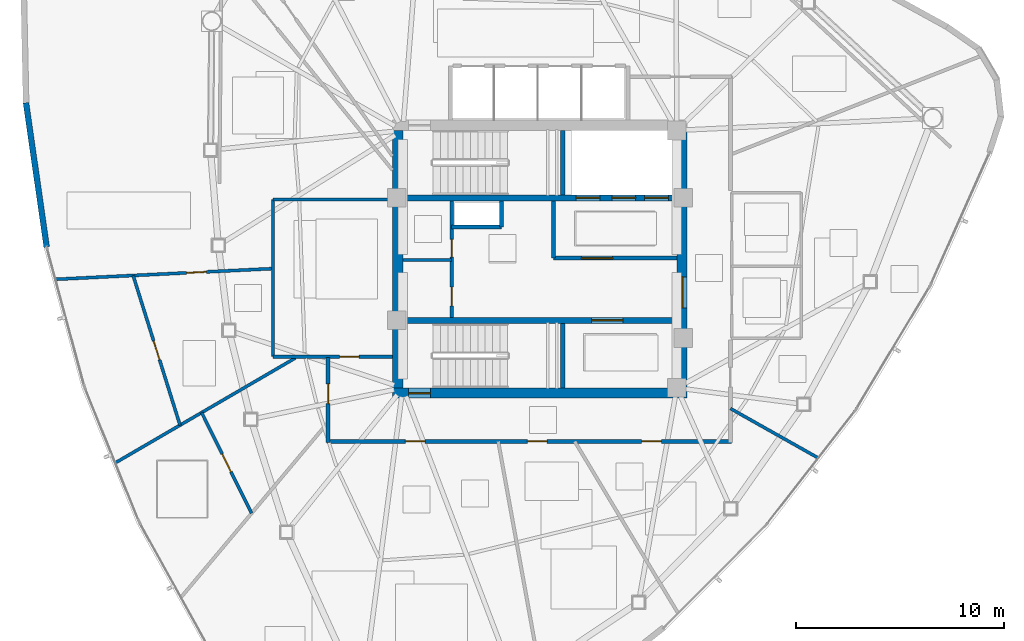
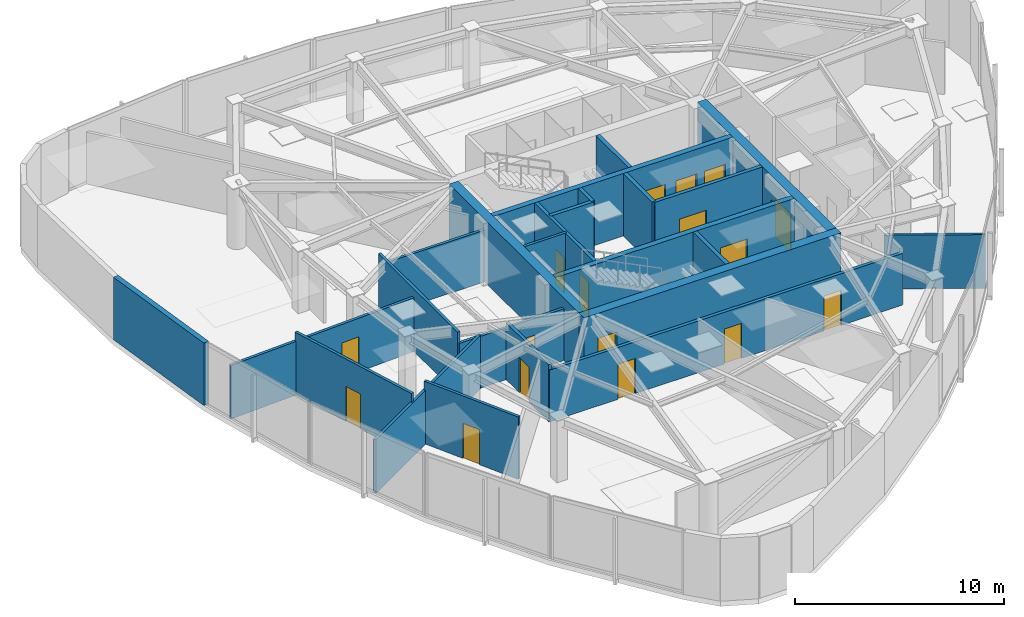
# One storey, part 8 of 13: 24 walls, 17 doors, 17 openings.
"""IFC4 building model written with IfcOpenShell, lengths in metres."""

from ifc_helpers import new_model, si_unit, direction, frame, frame_2d, origin, place, context, subcontext, project, spatial, rectangle, extrude, material, layer, layer_set, type_object, element, fill, save


model = new_model("IFC4")

# Units and contexts
model_context = context("Model", 3, precision=1e-05, world=origin(), true_north=direction((0.0, 1.0)))
body_context = subcontext(model_context, "Body", "Model", "MODEL_VIEW")
ifc_project = project(units=[si_unit("LENGTHUNIT", "METRE"), si_unit("AREAUNIT", "SQUARE_METRE"), si_unit("VOLUMEUNIT", "CUBIC_METRE"), si_unit("PLANEANGLEUNIT", "RADIAN"), si_unit("MASSUNIT", "GRAM", prefix="KILO")], contexts=[model_context])

# Site, building, storey
site_placement = place(None, origin())
site = spatial("IfcSite", under=ifc_project, at=site_placement, CompositionType="ELEMENT")
building_placement = place(site_placement, origin())
building = spatial("IfcBuilding", under=site, at=building_placement, Name="Tavelor Broadcast Tower", CompositionType="ELEMENT")
storey_placement = place(building_placement, frame((0.0, 0.0, 245.85009765625)))
storey = spatial("IfcBuildingStorey", under=building, at=storey_placement, Name="L58", CompositionType="ELEMENT", Elevation=245.85009765625)

# Wall, opening, door
ifc_material_1 = material(Name="Concrete C50/60", Category="concrete")
ifc_layer_1 = layer(ifc_material_1, 0.5)
ifc_layer_set_1 = layer_set([ifc_layer_1], Name="Concrete C50/60")
wall_type_1 = type_object("IfcWallType", Name="Core Shear Wall 500 mm", PredefinedType="SHEAR", material=ifc_layer_set_1)
wall_1_placement = place(storey_placement, frame((42.89990234375, 38.550048828125, 0.0), z_axis=(0.0, 0.0, 1.0), x_axis=(1.0, 0.0, 0.0)))
wall_1 = element("IfcWall", 1, at=wall_1_placement, inside=storey, type_object=wall_type_1, Name="L58 Central Core Shear Wall S", PredefinedType="SHEAR", context=body_context, shape_type="SweptSolid", body=[
    extrude(rectangle(XDim=14.2001953125, YDim=0.5, at=frame_2d((7.10009765625, 0.0))), origin(), (0.0, 0.0, 1.0), 3.64990234375),
])
opening_1_placement = place(wall_1_placement, frame((0.780029296875, 0.0, 0.0)))
opening_1 = element("IfcOpeningElement", 2, at=opening_1_placement, cuts=wall_1, Name="Opening DR11", PredefinedType="OPENING", context=body_context, shape_type="SweptSolid", body=[
    extrude(rectangle(XDim=1.050048828125, YDim=2.199951171875, at=frame_2d((0.52490234375, 1.10009765625))), frame((0.0, 0.260009765625, 0.0), z_axis=(0.0, -1.0, 0.0), x_axis=(1.0, 0.0, 0.0)), (0.0, 0.0, 1.0), 0.52001953125),
])
ifc_material_2 = material(Name="Steel S355", Category="steel")
door_type_1 = type_object("IfcDoorType", Name="Stair Core Fire Escape Door 1050x2200", OperationType="NOTDEFINED", PredefinedType="DOOR", material=ifc_material_2)
door_1_placement = place(opening_1_placement, origin())
door_1 = element("IfcDoor", 3, at=door_1_placement, inside=storey, type_object=door_type_1, Name="L58 Stair ST2 Protected Exit Door", OperationType="SINGLE_SWING_RIGHT", OverallHeight=2.199951171875, OverallWidth=1.050048828125, PredefinedType="DOOR", context=body_context, shape_type="SweptSolid", body=[
    extrude(rectangle(XDim=1.050048828125, YDim=2.199951171875, at=frame_2d((0.52490234375, 1.10009765625))), frame((0.0, 0.02490234375, 0.0), z_axis=(0.0, -1.0, 0.0), x_axis=(1.0, 0.0, 0.0)), (0.0, 0.0, 1.0), 0.050048828125),
])
fill(opening_1, door_1)

# Wall
wall_2_placement = place(storey_placement, frame((43.14990234375, 38.800048828125, 0.0), z_axis=(0.0, 0.0, 1.0), x_axis=(0.0, 1.0, 0.0)))
element("IfcWall", 4, at=wall_2_placement, inside=storey, type_object=wall_type_1, Name="L58 Central Core Shear Wall W", PredefinedType="SHEAR", context=body_context, shape_type="SweptSolid", body=[
    extrude(rectangle(XDim=12.39990234375, YDim=0.5, at=frame_2d((6.199951171875, 0.0))), origin(), (0.0, 0.0, 1.0), 3.64990234375),
])

# Wall, opening, door
wall_3_placement = place(storey_placement, frame((56.85009765625, 38.800048828125, 0.0), z_axis=(0.0, 0.0, 1.0), x_axis=(0.0, 1.0, 0.0)))
wall_3 = element("IfcWall", 5, at=wall_3_placement, inside=storey, type_object=wall_type_1, Name="L58 Central Core Shear Wall E", PredefinedType="SHEAR", context=body_context, shape_type="SweptSolid", body=[
    extrude(rectangle(XDim=12.39990234375, YDim=0.5, at=frame_2d((6.199951171875, 0.0))), origin(), (0.0, 0.0, 1.0), 3.64990234375),
])
opening_2_placement = place(wall_3_placement, frame((3.85009765625, 0.0, 0.0)))
opening_2 = element("IfcOpeningElement", 6, at=opening_2_placement, cuts=wall_3, Name="Opening DR14", PredefinedType="OPENING", context=body_context, shape_type="SweptSolid", body=[
    extrude(rectangle(XDim=1.5, YDim=2.199951171875, at=frame_2d((0.75, 1.10009765625))), frame((0.0, 0.260009765625, 0.0), z_axis=(0.0, -1.0, 0.0), x_axis=(1.0, 0.0, 0.0)), (0.0, 0.0, 1.0), 0.52001953125),
])
door_type_2 = type_object("IfcDoorType", Name="Firefighting Lobby Double Fire Door 1500x2200", OperationType="NOTDEFINED", PredefinedType="DOOR", material=ifc_material_2)
door_2_placement = place(opening_2_placement, origin())
door_2 = element("IfcDoor", 7, at=door_2_placement, inside=storey, type_object=door_type_2, Name="L58 Central Core Lobby Fire Door", OperationType="SINGLE_SWING_LEFT", OverallHeight=2.199951171875, OverallWidth=1.5, PredefinedType="DOOR", context=body_context, shape_type="SweptSolid", body=[
    extrude(rectangle(XDim=1.5, YDim=2.199951171875, at=frame_2d((0.75, 1.10009765625))), frame((0.0, 0.02490234375, 0.0), z_axis=(0.0, -1.0, 0.0), x_axis=(1.0, 0.0, 0.0)), (0.0, 0.0, 1.0), 0.050048828125),
])
fill(opening_2, door_2)

# Wall, openings, doors
ifc_layer_2 = layer(ifc_material_1, 0.300048828125)
ifc_layer_set_2 = layer_set([ifc_layer_2], Name="Concrete C50/60")
wall_type_2 = type_object("IfcWallType", Name="Core Spine Shear Wall 300 mm C50", PredefinedType="SHEAR", material=ifc_layer_set_2)
wall_4_placement = place(storey_placement, frame((43.39990234375, 47.949951171875, 0.0), z_axis=(0.0, 0.0, 1.0), x_axis=(1.0, 0.0, 0.0)))
wall_4 = element("IfcWall", 8, at=wall_4_placement, inside=storey, type_object=wall_type_2, Name="L58 Central Core Shear Wall SP1", PredefinedType="SHEAR", context=body_context, shape_type="SweptSolid", body=[
    extrude(rectangle(XDim=13.2001953125, YDim=0.300048828125, at=frame_2d((6.60009765625, 0.0))), origin(), (0.0, 0.0, 1.0), 3.64990234375),
])
opening_3_placement = place(wall_4_placement, frame((8.344970703125, 0.0, 0.0)))
opening_3 = element("IfcOpeningElement", 9, at=opening_3_placement, cuts=wall_4, Name="Opening LD02", PredefinedType="OPENING", context=body_context, shape_type="SweptSolid", body=[
    extrude(rectangle(XDim=1.14990234375, YDim=2.199951171875, at=frame_2d((0.574951171875, 1.10009765625))), frame((0.0, 0.16015625, 0.0), z_axis=(0.0, -1.0, 0.0), x_axis=(1.0, 0.0, 0.0)), (0.0, 0.0, 1.0), 0.320068359375),
])
opening_4_placement = place(wall_4_placement, frame((10.06494140625, 0.0, 0.0)))
opening_4 = element("IfcOpeningElement", 10, at=opening_4_placement, cuts=wall_4, Name="Opening LD02", PredefinedType="OPENING", context=body_context, shape_type="SweptSolid", body=[
    extrude(rectangle(XDim=1.14990234375, YDim=2.199951171875, at=frame_2d((0.574951171875, 1.10009765625))), frame((0.0, 0.16015625, 0.0), z_axis=(0.0, -1.0, 0.0), x_axis=(1.0, 0.0, 0.0)), (0.0, 0.0, 1.0), 0.320068359375),
])
opening_5_placement = place(wall_4_placement, frame((11.64501953125, 0.0, 0.0)))
opening_5 = element("IfcOpeningElement", 11, at=opening_5_placement, cuts=wall_4, Name="Opening LD03", PredefinedType="OPENING", context=body_context, shape_type="SweptSolid", body=[
    extrude(rectangle(XDim=1.14990234375, YDim=2.199951171875, at=frame_2d((0.574951171875, 1.10009765625))), frame((0.0, 0.16015625, 0.0), z_axis=(0.0, -1.0, 0.0), x_axis=(1.0, 0.0, 0.0)), (0.0, 0.0, 1.0), 0.320068359375),
])
ifc_material_3 = material(Name="Reinforced Brushed Stainless Steel", Category="concrete")
door_type_3 = type_object("IfcDoorType", Name="Broadcast Goods Lift Sliding Landing Door 1250x2200", OperationType="NOTDEFINED", PredefinedType="DOOR", material=ifc_material_3)
door_3_placement = place(opening_5_placement, origin())
door_3 = element("IfcDoor", 12, at=door_3_placement, inside=storey, type_object=door_type_3, Name="L58 Lift SVL1 Sliding Landing Door", OperationType="SLIDING_TO_LEFT", OverallHeight=2.199951171875, OverallWidth=1.14990234375, PredefinedType="DOOR", context=body_context, shape_type="SweptSolid", body=[
    extrude(rectangle(XDim=1.14990234375, YDim=2.199951171875, at=frame_2d((0.574951171875, 1.10009765625))), frame((0.0, 0.02490234375, 0.0), z_axis=(0.0, -1.0, 0.0), x_axis=(1.0, 0.0, 0.0)), (0.0, 0.0, 1.0), 0.050048828125),
])
fill(opening_5, door_3)
ifc_material_4 = material(Name="Fire-Rated Stainless Steel", Category="steel")
door_type_4 = type_object("IfcDoorType", Name="Firefighting Lift Sliding Landing Door 1200x2200", OperationType="NOTDEFINED", PredefinedType="DOOR", material=ifc_material_4)
door_4_placement = place(opening_3_placement, origin())
door_4 = element("IfcDoor", 13, at=door_4_placement, inside=storey, type_object=door_type_4, Name="L58 Lift FFL1 Sliding Landing Door", OperationType="SLIDING_TO_LEFT", OverallHeight=2.199951171875, OverallWidth=1.14990234375, PredefinedType="DOOR", context=body_context, shape_type="SweptSolid", body=[
    extrude(rectangle(XDim=1.14990234375, YDim=2.199951171875, at=frame_2d((0.574951171875, 1.10009765625))), frame((0.0, 0.02490234375, 0.0), z_axis=(0.0, -1.0, 0.0), x_axis=(1.0, 0.0, 0.0)), (0.0, 0.0, 1.0), 0.050048828125),
])
fill(opening_3, door_4)
door_5_placement = place(opening_4_placement, origin())
door_5 = element("IfcDoor", 14, at=door_5_placement, inside=storey, type_object=door_type_4, Name="L58 Lift FFL2 Sliding Landing Door", OperationType="SLIDING_TO_LEFT", OverallHeight=2.199951171875, OverallWidth=1.14990234375, PredefinedType="DOOR", context=body_context, shape_type="SweptSolid", body=[
    extrude(rectangle(XDim=1.14990234375, YDim=2.199951171875, at=frame_2d((0.574951171875, 1.10009765625))), frame((0.0, 0.02490234375, 0.0), z_axis=(0.0, -1.0, 0.0), x_axis=(1.0, 0.0, 0.0)), (0.0, 0.0, 1.0), 0.050048828125),
])
fill(opening_4, door_5)

# Wall, opening, door
wall_5_placement = place(storey_placement, frame((43.39990234375, 42.050048828125, 0.0), z_axis=(0.0, 0.0, 1.0), x_axis=(1.0, 0.0, 0.0)))
wall_5 = element("IfcWall", 15, at=wall_5_placement, inside=storey, type_object=wall_type_2, Name="L58 Central Core Shear Wall SP2", PredefinedType="SHEAR", context=body_context, shape_type="SweptSolid", body=[
    extrude(rectangle(XDim=13.2001953125, YDim=0.300048828125, at=frame_2d((6.60009765625, 0.0))), origin(), (0.0, 0.0, 1.0), 3.64990234375),
])
opening_6_placement = place(wall_5_placement, frame((9.10009765625, 0.0, 0.0)))
opening_6 = element("IfcOpeningElement", 16, at=opening_6_placement, cuts=wall_5, Name="Opening DR14", PredefinedType="OPENING", context=body_context, shape_type="SweptSolid", body=[
    extrude(rectangle(XDim=1.5, YDim=2.199951171875, at=frame_2d((0.75, 1.10009765625))), frame((0.0, 0.16015625, 0.0), z_axis=(0.0, -1.0, 0.0), x_axis=(1.0, 0.0, 0.0)), (0.0, 0.0, 1.0), 0.320068359375),
])
door_6_placement = place(opening_6_placement, origin())
door_6 = element("IfcDoor", 17, at=door_6_placement, inside=storey, type_object=door_type_2, Name="L58 Reclaimed South Core Vestibule Door", OperationType="SINGLE_SWING_LEFT", OverallHeight=2.199951171875, OverallWidth=1.5, PredefinedType="DOOR", context=body_context, shape_type="SweptSolid", body=[
    extrude(rectangle(XDim=1.5, YDim=2.199951171875, at=frame_2d((0.75, 1.10009765625))), frame((0.0, 0.02490234375, 0.0), z_axis=(0.0, -1.0, 0.0), x_axis=(1.0, 0.0, 0.0)), (0.0, 0.0, 1.0), 0.050048828125),
])
fill(opening_6, door_6)

# Wall, openings, doors
ifc_material_5 = material(Name="Calcium Silicate Fire Board 180 mm", Category="gypsum")
ifc_layer_3 = layer(ifc_material_5, 0.179931640625)
ifc_layer_set_3 = layer_set([ifc_layer_3], Name="Calcium Silicate Fire Board 180 mm")
wall_type_3 = type_object("IfcWallType", Name="Fire-Rated Corridor Partition Wall 180 mm", PredefinedType="PARTITIONING", material=ifc_layer_set_3)
wall_6_placement = place(storey_placement, frame((45.75, 42.199951171875, 0.0), z_axis=(0.0, 0.0, 1.0), x_axis=(0.0, 1.0, 0.0)))
wall_6 = element("IfcWall", 18, at=wall_6_placement, inside=storey, type_object=wall_type_3, Name="L58 Core West Service East Wall", PredefinedType="PARTITIONING", context=body_context, shape_type="SweptSolid", body=[
    extrude(rectangle(XDim=5.60009765625, YDim=0.179931640625, at=frame_2d((2.800048828125, 0.0))), origin(), (0.0, 0.0, 1.0), 3.64990234375),
])
opening_7_placement = place(wall_6_placement, frame((0.550048828125, 0.0, 0.0)))
opening_7 = element("IfcOpeningElement", 19, at=opening_7_placement, cuts=wall_6, Name="Opening DR32", PredefinedType="OPENING", context=body_context, shape_type="SweptSolid", body=[
    extrude(rectangle(XDim=0.89990234375, YDim=2.050048828125, at=frame_2d((0.449951171875, 1.02490234375))), frame((0.0, 0.10009765625, 0.0), z_axis=(0.0, -1.0, 0.0), x_axis=(1.0, 0.0, 0.0)), (0.0, 0.0, 1.0), 0.199951171875),
])
opening_8_placement = place(wall_6_placement, frame((2.89990234375, 0.0, 0.0)))
opening_8 = element("IfcOpeningElement", 20, at=opening_8_placement, cuts=wall_6, Name="Opening DR36", PredefinedType="OPENING", context=body_context, shape_type="SweptSolid", body=[
    extrude(rectangle(XDim=0.85009765625, YDim=2.050048828125, at=frame_2d((0.425048828125, 1.02490234375))), frame((0.0, 0.10009765625, 0.0), z_axis=(0.0, -1.0, 0.0), x_axis=(1.0, 0.0, 0.0)), (0.0, 0.0, 1.0), 0.199951171875),
])
ifc_material_6 = material(Name="Timber Solid Core Hardwood", Category="wood")
door_type_5 = type_object("IfcDoorType", Name="Accessible Washroom Door 900x2050", OperationType="NOTDEFINED", PredefinedType="DOOR", material=ifc_material_6)
door_7_placement = place(opening_7_placement, origin())
door_7 = element("IfcDoor", 21, at=door_7_placement, inside=storey, type_object=door_type_5, Name="L58 Core Accessible WC Door", OperationType="SINGLE_SWING_LEFT", OverallHeight=2.050048828125, OverallWidth=0.89990234375, PredefinedType="DOOR", context=body_context, shape_type="SweptSolid", body=[
    extrude(rectangle(XDim=0.89990234375, YDim=2.050048828125, at=frame_2d((0.449951171875, 1.02490234375))), frame((0.0, 0.02490234375, 0.0), z_axis=(0.0, -1.0, 0.0), x_axis=(1.0, 0.0, 0.0)), (0.0, 0.0, 1.0), 0.050048828125),
])
fill(opening_7, door_7)
door_type_6 = type_object("IfcDoorType", Name="Service Room Fire Door 850x2050", OperationType="NOTDEFINED", PredefinedType="DOOR", material=ifc_material_2)
door_8_placement = place(opening_8_placement, origin())
door_8 = element("IfcDoor", 22, at=door_8_placement, inside=storey, type_object=door_type_6, Name="L58 Core Cleaner Store Door", OperationType="SINGLE_SWING_RIGHT", OverallHeight=2.050048828125, OverallWidth=0.85009765625, PredefinedType="DOOR", context=body_context, shape_type="SweptSolid", body=[
    extrude(rectangle(XDim=0.85009765625, YDim=2.050048828125, at=frame_2d((0.425048828125, 1.02490234375))), frame((0.0, 0.02490234375, 0.0), z_axis=(0.0, -1.0, 0.0), x_axis=(1.0, 0.0, 0.0)), (0.0, 0.0, 1.0), 0.050048828125),
])
fill(opening_8, door_8)

wall_7_placement = place(storey_placement, frame((59.22998046875, 36.219970703125, 0.0), z_axis=(0.0, 0.0, 1.0), x_axis=(-1.0, 0.0, 0.0)))
wall_7 = element("IfcWall", 23, at=wall_7_placement, inside=storey, type_object=wall_type_3, Name="L58 Corridor Compartment Wall 04", PredefinedType="PARTITIONING", context=body_context, shape_type="SweptSolid", body=[
    extrude(rectangle(XDim=19.47998046875, YDim=0.179931640625, at=frame_2d((9.739990234375, 0.0))), origin(), (0.0, 0.0, 1.0), 3.02490234375),
])
opening_9_placement = place(wall_7_placement, frame((3.378173828125, 0.0, 0.0)))
opening_9 = element("IfcOpeningElement", 24, at=opening_9_placement, cuts=wall_7, Name="Opening DR18", PredefinedType="OPENING", context=body_context, shape_type="SweptSolid", body=[
    extrude(rectangle(XDim=0.949951171875, YDim=2.050048828125, at=frame_2d((0.47509765625, 1.02490234375))), frame((0.0, 0.10009765625, 0.0), z_axis=(0.0, -1.0, 0.0), x_axis=(1.0, 0.0, 0.0)), (0.0, 0.0, 1.0), 0.199951171875),
])
opening_10_placement = place(wall_7_placement, frame((8.880126953125, 0.0, 0.0)))
opening_10 = element("IfcOpeningElement", 25, at=opening_10_placement, cuts=wall_7, Name="Opening DR18", PredefinedType="OPENING", context=body_context, shape_type="SweptSolid", body=[
    extrude(rectangle(XDim=0.949951171875, YDim=2.050048828125, at=frame_2d((0.47509765625, 1.02490234375))), frame((0.0, 0.10009765625, 0.0), z_axis=(0.0, -1.0, 0.0), x_axis=(1.0, 0.0, 0.0)), (0.0, 0.0, 1.0), 0.199951171875),
])
opening_11_placement = place(wall_7_placement, frame((14.755859375, 0.0, 0.0)))
opening_11 = element("IfcOpeningElement", 26, at=opening_11_placement, cuts=wall_7, Name="Opening DR18", PredefinedType="OPENING", context=body_context, shape_type="SweptSolid", body=[
    extrude(rectangle(XDim=0.949951171875, YDim=2.050048828125, at=frame_2d((0.47509765625, 1.02490234375))), frame((0.0, 0.10009765625, 0.0), z_axis=(0.0, -1.0, 0.0), x_axis=(1.0, 0.0, 0.0)), (0.0, 0.0, 1.0), 0.199951171875),
])
door_type_7 = type_object("IfcDoorType", Name="Corridor Rated Compartment Door 950x2050", OperationType="NOTDEFINED", PredefinedType="DOOR", material=ifc_material_6)
door_9_placement = place(opening_9_placement, origin())
door_9 = element("IfcDoor", 27, at=door_9_placement, inside=storey, type_object=door_type_7, Name="L58 Syndication Legal Office Door R0", OperationType="SINGLE_SWING_RIGHT", OverallHeight=2.050048828125, OverallWidth=0.949951171875, PredefinedType="DOOR", context=body_context, shape_type="SweptSolid", body=[
    extrude(rectangle(XDim=0.949951171875, YDim=2.050048828125, at=frame_2d((0.47509765625, 1.02490234375))), frame((0.0, 0.02490234375, 0.0), z_axis=(0.0, -1.0, 0.0), x_axis=(1.0, 0.0, 0.0)), (0.0, 0.0, 1.0), 0.050048828125),
])
fill(opening_9, door_9)
door_10_placement = place(opening_10_placement, origin())
door_10 = element("IfcDoor", 28, at=door_10_placement, inside=storey, type_object=door_type_7, Name="L58 International Bureau Office Door R1", OperationType="SINGLE_SWING_LEFT", OverallHeight=2.050048828125, OverallWidth=0.949951171875, PredefinedType="DOOR", context=body_context, shape_type="SweptSolid", body=[
    extrude(rectangle(XDim=0.949951171875, YDim=2.050048828125, at=frame_2d((0.47509765625, 1.02490234375))), frame((0.0, 0.02490234375, 0.0), z_axis=(0.0, -1.0, 0.0), x_axis=(1.0, 0.0, 0.0)), (0.0, 0.0, 1.0), 0.050048828125),
])
fill(opening_10, door_10)
door_11_placement = place(opening_11_placement, origin())
door_11 = element("IfcDoor", 29, at=door_11_placement, inside=storey, type_object=door_type_7, Name="L58 Documentary Planning Office Door R2", OperationType="SINGLE_SWING_RIGHT", OverallHeight=2.050048828125, OverallWidth=0.949951171875, PredefinedType="DOOR", context=body_context, shape_type="SweptSolid", body=[
    extrude(rectangle(XDim=0.949951171875, YDim=2.050048828125, at=frame_2d((0.47509765625, 1.02490234375))), frame((0.0, 0.02490234375, 0.0), z_axis=(0.0, -1.0, 0.0), x_axis=(1.0, 0.0, 0.0)), (0.0, 0.0, 1.0), 0.050048828125),
])
fill(opening_11, door_11)

# Wall, opening, door
wall_8_placement = place(storey_placement, frame((39.800048828125, 36.169921875, 0.0), z_axis=(0.0, 0.0, 1.0), x_axis=(0.0, 1.0, 0.0)))
wall_8 = element("IfcWall", 30, at=wall_8_placement, inside=storey, type_object=wall_type_3, Name="L58 Corridor Compartment Wall 05", PredefinedType="PARTITIONING", context=body_context, shape_type="SweptSolid", body=[
    extrude(rectangle(XDim=4.080078125, YDim=0.179931640625, at=frame_2d((2.0400390625, 0.0))), origin(), (0.0, 0.0, 1.0), 3.324951171875),
])
opening_12_placement = place(wall_8_placement, frame((1.86767578125, 0.0, 0.0)))
opening_12 = element("IfcOpeningElement", 31, at=opening_12_placement, cuts=wall_8, Name="Opening DR18", PredefinedType="OPENING", context=body_context, shape_type="SweptSolid", body=[
    extrude(rectangle(XDim=0.949951171875, YDim=2.050048828125, at=frame_2d((0.47509765625, 1.02490234375))), frame((0.0, 0.10009765625, 0.0), z_axis=(0.0, -1.0, 0.0), x_axis=(1.0, 0.0, 0.0)), (0.0, 0.0, 1.0), 0.199951171875),
])
door_12_placement = place(opening_12_placement, origin())
door_12 = element("IfcDoor", 32, at=door_12_placement, inside=storey, type_object=door_type_7, Name="L58 Press Concierge Desk Door R10", OperationType="SINGLE_SWING_LEFT", OverallHeight=2.050048828125, OverallWidth=0.949951171875, PredefinedType="DOOR", context=body_context, shape_type="SweptSolid", body=[
    extrude(rectangle(XDim=0.949951171875, YDim=2.050048828125, at=frame_2d((0.47509765625, 1.02490234375))), frame((0.0, 0.02490234375, 0.0), z_axis=(0.0, -1.0, 0.0), x_axis=(1.0, 0.0, 0.0)), (0.0, 0.0, 1.0), 0.050048828125),
])
fill(opening_12, door_12)

# Walls
ifc_material_7 = material(Name="Precast Concrete C40/50", Category="concrete")
ifc_layer_4 = layer(ifc_material_7, 0.280029296875)
ifc_layer_set_4 = layer_set([ifc_layer_4], Name="Precast Concrete C40/50")
wall_type_4 = type_object("IfcWallType", Name="Insulated Precast Terracotta Facade Wall 280 mm", PredefinedType="STANDARD", material=ifc_layer_set_4)
wall_9_placement = place(storey_placement, frame((25.247314453125, 52.533203125, 0.0), z_axis=(0.0, 0.0, 1.0), x_axis=(0.142156622093, -0.989844177027, 0.0)))
element("IfcWall", 33, at=wall_9_placement, inside=storey, type_object=wall_type_4, Name="L58 Rounded Corner Structural Cladding Pier 06", PredefinedType="STANDARD", context=body_context, shape_type="SweptSolid", body=[
    extrude(rectangle(XDim=7.01904296875, YDim=0.280029296875, at=frame_2d((3.509521484375, 0.0))), origin(), (0.0, 0.0, 1.0), 3.64990234375),
])
ifc_material_8 = material(Name="Gypsum Acoustic Plasterboard 150 mm", Category="gypsum")
ifc_layer_5 = layer(ifc_material_8, 0.14990234375)
ifc_layer_set_5 = layer_set([ifc_layer_5], Name="Gypsum Acoustic Plasterboard 150 mm")
wall_type_5 = type_object("IfcWallType", Name="Interior Acoustic Partition Wall 150 mm", PredefinedType="PARTITIONING", material=ifc_layer_set_5)
wall_10_placement = place(storey_placement, frame((43.39990234375, 44.949951171875, 0.0), z_axis=(0.0, 0.0, 1.0), x_axis=(1.0, 0.0, 0.0)))
element("IfcWall", 34, at=wall_10_placement, inside=storey, type_object=wall_type_5, Name="L58 Core Split Wall A", PredefinedType="PARTITIONING", context=body_context, shape_type="SweptSolid", body=[
    extrude(rectangle(XDim=2.35009765625, YDim=0.14990234375, at=frame_2d((1.175048828125, 0.0))), origin(), (0.0, 0.0, 1.0), 3.64990234375),
])

# Wall, opening, door
wall_11_placement = place(storey_placement, frame((37.139892578125, 40.300048828125, 0.0), z_axis=(0.0, 0.0, 1.0), x_axis=(1.0, 0.0, 0.0)))
wall_11 = element("IfcWall", 35, at=wall_11_placement, inside=storey, type_object=wall_type_5, Name="L58 Reclaimed Shaft Pantry South Wall", PredefinedType="PARTITIONING", context=body_context, shape_type="SweptSolid", body=[
    extrude(rectangle(XDim=5.760009765625, YDim=0.14990234375, at=frame_2d((2.8798828125, 0.0))), origin(), (0.0, 0.0, 1.0), 3.02490234375),
])
opening_13_placement = place(wall_11_placement, frame((3.2099609375, 0.0, 0.0)))
opening_13 = element("IfcOpeningElement", 36, at=opening_13_placement, cuts=wall_11, Name="Opening DR18", PredefinedType="OPENING", context=body_context, shape_type="SweptSolid", body=[
    extrude(rectangle(XDim=0.949951171875, YDim=2.050048828125, at=frame_2d((0.47509765625, 1.02490234375))), frame((0.0, 0.0849609375, 0.0), z_axis=(0.0, -1.0, 0.0), x_axis=(1.0, 0.0, 0.0)), (0.0, 0.0, 1.0), 0.169921875),
])
door_13_placement = place(opening_13_placement, origin())
door_13 = element("IfcDoor", 37, at=door_13_placement, inside=storey, type_object=door_type_7, Name="L58 Broadcast IT Patch and Pantry Door", OperationType="SINGLE_SWING_LEFT", OverallHeight=2.050048828125, OverallWidth=0.949951171875, PredefinedType="DOOR", context=body_context, shape_type="SweptSolid", body=[
    extrude(rectangle(XDim=0.949951171875, YDim=2.050048828125, at=frame_2d((0.47509765625, 1.02490234375))), frame((0.0, 0.02490234375, 0.0), z_axis=(0.0, -1.0, 0.0), x_axis=(1.0, 0.0, 0.0)), (0.0, 0.0, 1.0), 0.050048828125),
])
fill(opening_13, door_13)

# Walls
wall_12_placement = place(storey_placement, frame((37.139892578125, 40.300048828125, 0.0), z_axis=(0.0, 0.0, 1.0), x_axis=(0.0, 1.0, 0.0)))
element("IfcWall", 38, at=wall_12_placement, inside=storey, type_object=wall_type_5, Name="L58 Reclaimed Shaft Pantry West Wall", PredefinedType="PARTITIONING", context=body_context, shape_type="SweptSolid", body=[
    extrude(rectangle(XDim=7.579833984375, YDim=0.14990234375, at=frame_2d((3.7900390625, 0.0))), origin(), (0.0, 0.0, 1.0), 3.64990234375),
])
wall_13_placement = place(storey_placement, frame((37.139892578125, 47.8798828125, 0.0), z_axis=(0.0, 0.0, 1.0), x_axis=(1.0, 0.0, 0.0)))
element("IfcWall", 39, at=wall_13_placement, inside=storey, type_object=wall_type_5, Name="L58 Reclaimed Shaft Pantry North Wall", PredefinedType="PARTITIONING", context=body_context, shape_type="SweptSolid", body=[
    extrude(rectangle(XDim=5.760009765625, YDim=0.14990234375, at=frame_2d((2.8798828125, 0.0))), origin(), (0.0, 0.0, 1.0), 3.02490234375),
])

# Wall, opening, door
wall_14_placement = place(storey_placement, frame((37.080078125, 44.541015625, 0.0), z_axis=(0.0, 0.0, 1.0), x_axis=(-0.998789108777, -0.049196709117, 0.0)))
wall_14 = element("IfcWall", 40, at=wall_14_placement, inside=storey, type_object=wall_type_5, Name="L58 Radial Compartment Wall 04", PredefinedType="PARTITIONING", context=body_context, shape_type="SweptSolid", body=[
    extrude(rectangle(XDim=10.436279296875, YDim=0.14990234375, at=frame_2d((5.21826171875, 0.0))), origin(), (0.0, 0.0, 1.0), 3.135009765625),
])
opening_14_placement = place(wall_14_placement, frame((3.14990234375, 0.0, 0.0)))
opening_14 = element("IfcOpeningElement", 41, at=opening_14_placement, cuts=wall_14, Name="Opening DR18", PredefinedType="OPENING", context=body_context, shape_type="SweptSolid", body=[
    extrude(rectangle(XDim=0.949951171875, YDim=2.050048828125, at=frame_2d((0.47509765625, 1.02490234375))), frame((0.0, 0.0849609375, 0.0), z_axis=(0.0, -1.0, 0.0), x_axis=(1.0, 0.0, 0.0)), (0.0, 0.0, 1.0), 0.169921875),
])
door_14_placement = place(opening_14_placement, origin())
door_14 = element("IfcDoor", 42, at=door_14_placement, inside=storey, type_object=door_type_7, Name="L58 Suite Connecting Door 9", OperationType="SINGLE_SWING_LEFT", OverallHeight=2.050048828125, OverallWidth=0.949951171875, PredefinedType="DOOR", context=body_context, shape_type="SweptSolid", body=[
    extrude(rectangle(XDim=0.949951171875, YDim=2.050048828125, at=frame_2d((0.47509765625, 1.02490234375))), frame((0.0, 0.02490234375, 0.0), z_axis=(0.0, -1.0, 0.0), x_axis=(1.0, 0.0, 0.0)), (0.0, 0.0, 1.0), 0.050048828125),
])
fill(opening_14, door_14)

# Walls
wall_15_placement = place(storey_placement, frame((38.226806640625, 40.239990234375, 0.0), z_axis=(0.0, 0.0, 1.0), x_axis=(-0.864130189227, -0.503268334058, 0.0)))
element("IfcWall", 43, at=wall_15_placement, inside=storey, type_object=wall_type_5, Name="L58 Radial Compartment Wall 05", PredefinedType="PARTITIONING", context=body_context, shape_type="SweptSolid", body=[
    extrude(rectangle(XDim=10.051513671875, YDim=0.14990234375, at=frame_2d((5.02587890625, 0.0))), origin(), (0.0, 0.0, 1.0), 3.135009765625),
])
wall_16_placement = place(storey_placement, frame((59.179931640625, 37.80419921875, 0.0), z_axis=(0.0, 0.0, 1.0), x_axis=(0.87135826917, -0.490647293632, 0.0)))
element("IfcWall", 44, at=wall_16_placement, inside=storey, type_object=wall_type_5, Name="L58 Radial Compartment Wall 09", PredefinedType="PARTITIONING", context=body_context, shape_type="SweptSolid", body=[
    extrude(rectangle(XDim=4.863525390625, YDim=0.14990234375, at=frame_2d((2.431640625, 0.0))), origin(), (0.0, 0.0, 1.0), 3.135009765625),
])

# Wall, opening, door
wall_17_placement = place(storey_placement, frame((30.408935546875, 44.21240234375, 0.0), z_axis=(0.0, 0.0, 1.0), x_axis=(0.298959352889, -0.954265846251, 0.0)))
wall_17 = element("IfcWall", 45, at=wall_17_placement, inside=storey, type_object=wall_type_5, Name="L58 Suite Chord Partition Wall 01", PredefinedType="PARTITIONING", context=body_context, shape_type="SweptSolid", body=[
    extrude(rectangle(XDim=7.555419921875, YDim=0.14990234375, at=frame_2d((3.77783203125, 0.0))), origin(), (0.0, 0.0, 1.0), 3.64990234375),
])
opening_15_placement = place(wall_17_placement, frame((3.302734375, 0.0, 0.0)))
opening_15 = element("IfcOpeningElement", 46, at=opening_15_placement, cuts=wall_17, Name="Opening DR23", PredefinedType="OPENING", context=body_context, shape_type="SweptSolid", body=[
    extrude(rectangle(XDim=0.949951171875, YDim=2.050048828125, at=frame_2d((0.47509765625, 1.02490234375))), frame((0.0, 0.0849609375, 0.0), z_axis=(0.0, -1.0, 0.0), x_axis=(1.0, 0.0, 0.0)), (0.0, 0.0, 1.0), 0.169921875),
])
door_type_8 = type_object("IfcDoorType", Name="Editorial Room Acoustic Door 950x2050", OperationType="NOTDEFINED", PredefinedType="DOOR", material=ifc_material_6)
door_15_placement = place(opening_15_placement, origin())
door_15 = element("IfcDoor", 47, at=door_15_placement, inside=storey, type_object=door_type_8, Name="L58 Outer Suite Partition Door 1", OperationType="SINGLE_SWING_RIGHT", OverallHeight=2.050048828125, OverallWidth=0.949951171875, PredefinedType="DOOR", context=body_context, shape_type="SweptSolid", body=[
    extrude(rectangle(XDim=0.949951171875, YDim=2.050048828125, at=frame_2d((0.47509765625, 1.02490234375))), frame((0.0, 0.02490234375, 0.0), z_axis=(0.0, -1.0, 0.0), x_axis=(1.0, 0.0, 0.0)), (0.0, 0.0, 1.0), 0.050048828125),
])
fill(opening_15, door_15)

wall_18_placement = place(storey_placement, frame((33.710205078125, 37.609619140625, 0.0), z_axis=(0.0, 0.0, 1.0), x_axis=(0.443676201146, -0.896187161555, 0.0)))
wall_18 = element("IfcWall", 48, at=wall_18_placement, inside=storey, type_object=wall_type_5, Name="L58 Suite Chord Partition Wall 02", PredefinedType="PARTITIONING", context=body_context, shape_type="SweptSolid", body=[
    extrude(rectangle(XDim=5.416259765625, YDim=0.14990234375, at=frame_2d((2.7080078125, 0.0))), origin(), (0.0, 0.0, 1.0), 3.64990234375),
])
opening_16_placement = place(wall_18_placement, frame((2.233154296875, 0.0, 0.0)))
opening_16 = element("IfcOpeningElement", 49, at=opening_16_placement, cuts=wall_18, Name="Opening DR23", PredefinedType="OPENING", context=body_context, shape_type="SweptSolid", body=[
    extrude(rectangle(XDim=0.949951171875, YDim=2.050048828125, at=frame_2d((0.47509765625, 1.02490234375))), frame((0.0, 0.0849609375, 0.0), z_axis=(0.0, -1.0, 0.0), x_axis=(1.0, 0.0, 0.0)), (0.0, 0.0, 1.0), 0.169921875),
])
door_16_placement = place(opening_16_placement, origin())
door_16 = element("IfcDoor", 50, at=door_16_placement, inside=storey, type_object=door_type_8, Name="L58 Outer Suite Partition Door 2", OperationType="SINGLE_SWING_LEFT", OverallHeight=2.050048828125, OverallWidth=0.949951171875, PredefinedType="DOOR", context=body_context, shape_type="SweptSolid", body=[
    extrude(rectangle(XDim=0.949951171875, YDim=2.050048828125, at=frame_2d((0.47509765625, 1.02490234375))), frame((0.0, 0.02490234375, 0.0), z_axis=(0.0, -1.0, 0.0), x_axis=(1.0, 0.0, 0.0)), (0.0, 0.0, 1.0), 0.050048828125),
])
fill(opening_16, door_16)

# Walls
ifc_material_9 = material(Name="Concrete Blockwork 200 mm", Category="masonry")
ifc_layer_6 = layer(ifc_material_9, 0.199951171875)
ifc_layer_set_6 = layer_set([ifc_layer_6], Name="Concrete Blockwork 200 mm")
wall_type_6 = type_object("IfcWallType", Name="Lift and Riser Shaft Enclosure Wall 200 mm", PredefinedType="PARTITIONING", material=ifc_layer_set_6)
wall_19_placement = place(storey_placement, frame((45.75, 46.550048828125, 0.0), z_axis=(0.0, 0.0, 1.0), x_axis=(1.0, 0.0, 0.0)))
element("IfcWall", 51, at=wall_19_placement, inside=storey, type_object=wall_type_6, Name="L58 Riser Shaft South Wall", PredefinedType="PARTITIONING", context=body_context, shape_type="SweptSolid", body=[
    extrude(rectangle(XDim=2.39990234375, YDim=0.199951171875, at=frame_2d((1.199951171875, 0.0))), origin(), (0.0, 0.0, 1.0), 3.64990234375),
])
wall_20_placement = place(storey_placement, frame((48.14990234375, 46.550048828125, 0.0), z_axis=(0.0, 0.0, 1.0), x_axis=(0.0, 1.0, 0.0)))
element("IfcWall", 52, at=wall_20_placement, inside=storey, type_object=wall_type_6, Name="L58 Riser Shaft East Wall", PredefinedType="PARTITIONING", context=body_context, shape_type="SweptSolid", body=[
    extrude(rectangle(XDim=1.25, YDim=0.199951171875, at=frame_2d((0.625, 0.0))), origin(), (0.0, 0.0, 1.0), 3.64990234375),
])

# Wall, opening, door
wall_21_placement = place(storey_placement, frame((50.64990234375, 45.050048828125, 0.0), z_axis=(0.0, 0.0, 1.0), x_axis=(1.0, 0.0, 0.0)))
wall_21 = element("IfcWall", 53, at=wall_21_placement, inside=storey, type_object=wall_type_6, Name="L58 Firefighting Lobby South Wall", PredefinedType="PARTITIONING", context=body_context, shape_type="SweptSolid", body=[
    extrude(rectangle(XDim=5.9501953125, YDim=0.199951171875, at=frame_2d((2.97509765625, 0.0))), origin(), (0.0, 0.0, 1.0), 3.64990234375),
])
opening_17_placement = place(wall_21_placement, frame((1.35009765625, 0.0, 0.0)))
opening_17 = element("IfcOpeningElement", 54, at=opening_17_placement, cuts=wall_21, Name="Opening DR14", PredefinedType="OPENING", context=body_context, shape_type="SweptSolid", body=[
    extrude(rectangle(XDim=1.5, YDim=2.199951171875, at=frame_2d((0.75, 1.10009765625))), frame((0.0, 0.10986328125, 0.0), z_axis=(0.0, -1.0, 0.0), x_axis=(1.0, 0.0, 0.0)), (0.0, 0.0, 1.0), 0.219970703125),
])
door_17_placement = place(opening_17_placement, origin())
door_17 = element("IfcDoor", 55, at=door_17_placement, inside=storey, type_object=door_type_2, Name="L58 Firefighting Lobby Compartment Door", OperationType="SINGLE_SWING_RIGHT", OverallHeight=2.199951171875, OverallWidth=1.5, PredefinedType="DOOR", context=body_context, shape_type="SweptSolid", body=[
    extrude(rectangle(XDim=1.5, YDim=2.199951171875, at=frame_2d((0.75, 1.10009765625))), frame((0.0, 0.02490234375, 0.0), z_axis=(0.0, -1.0, 0.0), x_axis=(1.0, 0.0, 0.0)), (0.0, 0.0, 1.0), 0.050048828125),
])
fill(opening_17, door_17)

# Walls
wall_22_placement = place(storey_placement, frame((50.64990234375, 45.050048828125, 0.0), z_axis=(0.0, 0.0, 1.0), x_axis=(0.0, 1.0, 0.0)))
element("IfcWall", 56, at=wall_22_placement, inside=storey, type_object=wall_type_6, Name="L58 Firefighting Lobby West Wall", PredefinedType="PARTITIONING", context=body_context, shape_type="SweptSolid", body=[
    extrude(rectangle(XDim=2.75, YDim=0.199951171875, at=frame_2d((1.375, 0.0))), origin(), (0.0, 0.0, 1.0), 3.64990234375),
])
ifc_material_10 = material(Name="Concrete C40/50", Category="concrete")
ifc_layer_7 = layer(ifc_material_10, 0.219970703125)
ifc_layer_set_7 = layer_set([ifc_layer_7], Name="Concrete C40/50")
wall_type_7 = type_object("IfcWallType", Name="Structural Stairwell Shear Wall 220 mm", PredefinedType="SHEAR", material=ifc_layer_set_7)
for number, where, z_axis, x_axis, name in (
    (57, (51.110107421875, 48.10009765625, 0.0), (0.0, 0.0, 1.0), (0.0, 1.0, 0.0), "L58 Stair ST1 Structural Shaft Wall"),
    (58, (51.110107421875, 38.800048828125, 0.0), (0.0, 0.0, 1.0), (0.0, 1.0, 0.0), "L58 Stair ST2 Structural Shaft Wall"),
):
    element("IfcWall", number, at=place(storey_placement, frame(where, z_axis=z_axis, x_axis=x_axis)), inside=storey, type_object=wall_type_7, Name=name, PredefinedType="SHEAR", context=body_context, shape_type="SweptSolid", body=[
        extrude(rectangle(XDim=3.099853515625, YDim=0.219970703125, at=frame_2d((1.5498046875, 0.0))), origin(), (0.0, 0.0, 1.0), 3.64990234375),
    ])

save(model, "model.ifc")
